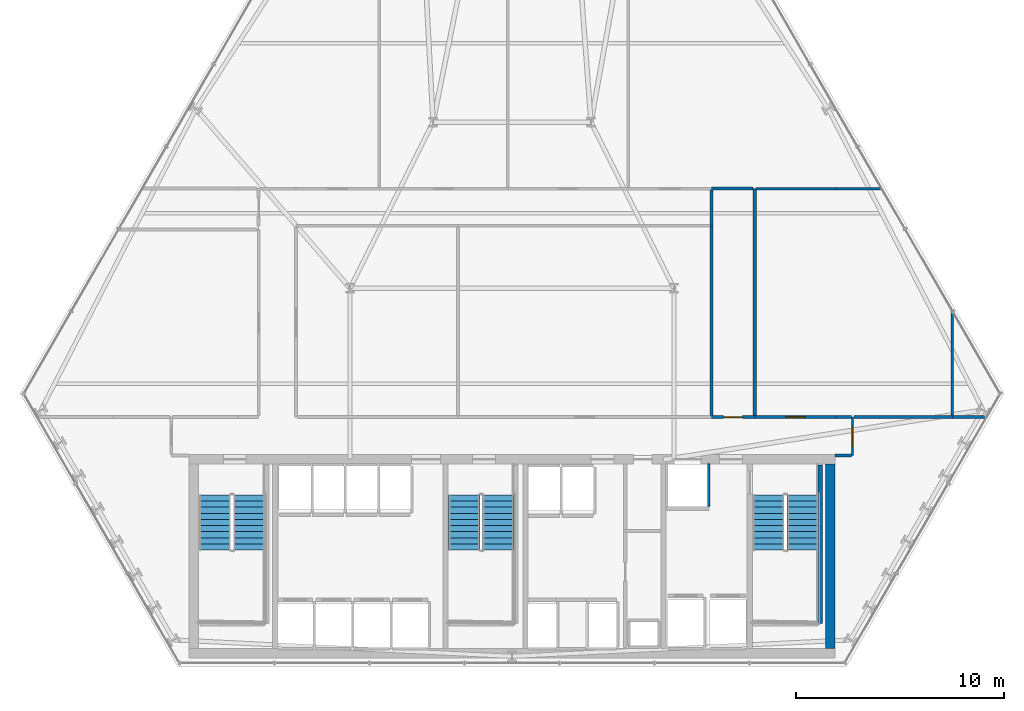
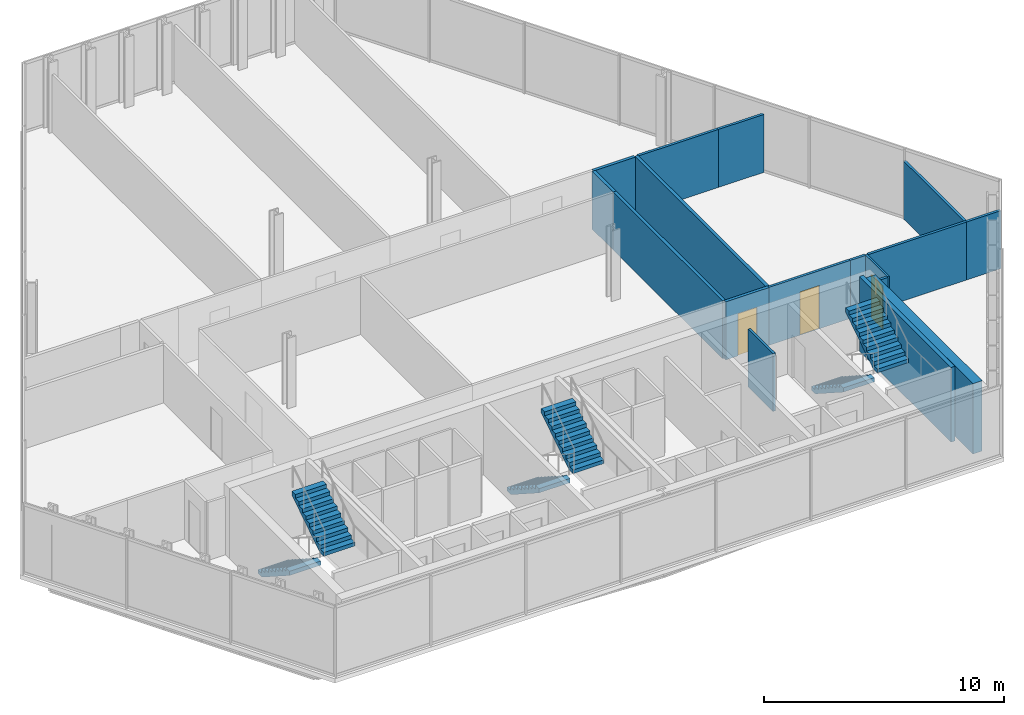
# One storey, part 29 of 32: 17 walls, 6 stair flights, 3 doors, 3 openings, 3 elements without a shape of their own.
"""IFC4 building model written with IfcOpenShell, lengths in metres."""

from ifc_helpers import new_model, si_unit, direction, frame, frame_2d, origin, place, context, subcontext, project, spatial, polyline, rectangle, outline, extrude, material, layer, layer_set, type_object, element, fill, aggregate, save


model = new_model("IFC4")

# Units and contexts
model_context = context("Model", 3, precision=1e-05, world=origin(), true_north=direction((0.0, 1.0)))
body_context = subcontext(model_context, "Body", "Model", "MODEL_VIEW")
ifc_project = project(units=[si_unit("LENGTHUNIT", "METRE"), si_unit("AREAUNIT", "SQUARE_METRE"), si_unit("VOLUMEUNIT", "CUBIC_METRE"), si_unit("PLANEANGLEUNIT", "RADIAN"), si_unit("MASSUNIT", "GRAM", prefix="KILO")], contexts=[model_context])

# Site, building, storey
site_placement = place(None, origin())
site = spatial("IfcSite", under=ifc_project, at=site_placement, CompositionType="ELEMENT")
building_placement = place(site_placement, origin())
building = spatial("IfcBuilding", under=site, at=building_placement, Name="Ndaravel Arena Tower", CompositionType="ELEMENT")
storey_placement = place(building_placement, frame((0.0, 0.0, 74.0)))
storey = spatial("IfcBuildingStorey", under=building, at=storey_placement, Name="L16", CompositionType="ELEMENT", Elevation=74.0)

# Wall
ifc_material_1 = material(Name="Concrete C60/75", Category="concrete")
ifc_layer_1 = layer(ifc_material_1, 0.449951171875)
ifc_layer_set_1 = layer_set([ifc_layer_1], Name="Concrete C60/75")
wall_type_1 = type_object("IfcWallType", Name="WALL-CORE-450", PredefinedType="SOLIDWALL", material=ifc_layer_set_1)
wall_1_placement = place(storey_placement, frame((57.324951171875, 5.85009765625, 0.0), z_axis=(0.0, 0.0, 1.0), x_axis=(0.0, 1.0, 0.0)))
element("IfcWall", 1, at=wall_1_placement, inside=storey, type_object=wall_type_1, Name="L16 Core East Shear Wall", PredefinedType="SOLIDWALL", context=body_context, shape_type="SweptSolid", body=[
    extrude(rectangle(XDim=8.89990234375, YDim=0.449951171875, at=frame_2d((4.449951171875, 0.0))), origin(), (0.0, 0.0, 1.0), 3.580078125),
])

# Wall, opening, door
ifc_material_2 = material(Name="Timber", Category="wood")
ifc_layer_2 = layer(ifc_material_2, 0.10009765625)
ifc_layer_set_2 = layer_set([ifc_layer_2], Name="Timber")
wall_type_2 = type_object("IfcWallType", Name="WALL-MOVABLE-100", PredefinedType="MOVABLE", material=ifc_layer_set_2)
wall_2_placement = place(storey_placement, frame((58.39990234375, 17.0, 0.0), z_axis=(0.0, 0.0, 1.0), x_axis=(0.0, -1.0, 0.0)))
wall_2 = element("IfcWall", 2, at=wall_2_placement, inside=storey, type_object=wall_type_2, Name="L16 Interior Partition 001", PredefinedType="MOVABLE", context=body_context, shape_type="SweptSolid", body=[
    extrude(rectangle(XDim=1.85009765625, YDim=0.10009765625, at=frame_2d((0.925048828125, 0.0))), origin(), (0.0, 0.0, 1.0), 2.949951171875),
])
opening_1_placement = place(wall_2_placement, frame((0.449951171875, 0.0, 0.0)))
opening_1 = element("IfcOpeningElement", 3, at=opening_1_placement, cuts=wall_2, Name="Opening ID-01", PredefinedType="OPENING", context=body_context, shape_type="SweptSolid", body=[
    extrude(rectangle(XDim=0.949951171875, YDim=2.199951171875, at=frame_2d((0.47509765625, 1.10009765625))), frame((0.0, 0.050048828125, 0.0), z_axis=(0.0, -1.0, 0.0), x_axis=(1.0, 0.0, 0.0)), (0.0, 0.0, 1.0), 0.10009765625),
])
ifc_material_3 = material(Name="Timber", Category="wood")
door_type_1 = type_object("IfcDoorType", Name="DT-03-OFFICE-950", OperationType="SINGLE_SWING_LEFT", PredefinedType="DOOR", material=ifc_material_3)
door_1_placement = place(opening_1_placement, origin())
door_1 = element("IfcDoor", 4, at=door_1_placement, inside=storey, type_object=door_type_1, Name="L16 Quiet Reading Library Door", OperationType="SINGLE_SWING_RIGHT", OverallHeight=2.199951171875, OverallWidth=0.949951171875, PredefinedType="DOOR", context=body_context, shape_type="SweptSolid", body=[
    extrude(rectangle(XDim=0.949951171875, YDim=2.199951171875, at=frame_2d((0.47509765625, 1.10009765625))), frame((0.0, 0.02490234375, 0.0), z_axis=(0.0, -1.0, 0.0), x_axis=(1.0, 0.0, 0.0)), (0.0, 0.0, 1.0), 0.050048828125),
])
fill(opening_1, door_1)

# Wall
ifc_material_4 = material(Name="Gypsum", Category="gypsum")
ifc_layer_3 = layer(ifc_material_4, 0.125)
ifc_layer_set_3 = layer_set([ifc_layer_3], Name="Gypsum")
wall_type_3 = type_object("IfcWallType", Name="WALL-PART-125", PredefinedType="PARTITIONING", material=ifc_layer_set_3)
wall_3_placement = place(storey_placement, frame((58.3349609375, 15.14990234375, 0.0), z_axis=(0.0, 0.0, 1.0), x_axis=(-1.0, 0.0, 0.0)))
element("IfcWall", 5, at=wall_3_placement, inside=storey, type_object=wall_type_3, Name="L16 Interior Partition 002", PredefinedType="PARTITIONING", context=body_context, shape_type="SweptSolid", body=[
    extrude(rectangle(XDim=0.784912109375, YDim=0.125, at=frame_2d((0.392578125, 0.0))), origin(), (0.0, 0.0, 1.0), 2.949951171875),
])

# Wall, opening, door
wall_4_placement = place(storey_placement, frame((53.68798828125, 17.0, 0.0), z_axis=(0.0, 0.0, 1.0), x_axis=(1.0, 0.0, 0.0)))
wall_4 = element("IfcWall", 6, at=wall_4_placement, inside=storey, type_object=wall_type_3, Name="L16 Interior Partition 021", PredefinedType="PARTITIONING", context=body_context, shape_type="SweptSolid", body=[
    extrude(rectangle(XDim=3.912109375, YDim=0.125, at=frame_2d((1.9560546875, 0.0))), origin(), (0.0, 0.0, 1.0), 2.949951171875),
])
opening_2_placement = place(wall_4_placement, frame((1.48095703125, 0.0, 0.0)))
opening_2 = element("IfcOpeningElement", 7, at=opening_2_placement, cuts=wall_4, Name="Opening ID-01", PredefinedType="OPENING", context=body_context, shape_type="SweptSolid", body=[
    extrude(rectangle(XDim=0.949951171875, YDim=2.199951171875, at=frame_2d((0.47509765625, 1.10009765625))), frame((0.0, 0.0625, 0.0), z_axis=(0.0, -1.0, 0.0), x_axis=(1.0, 0.0, 0.0)), (0.0, 0.0, 1.0), 0.125),
])
door_2_placement = place(opening_2_placement, origin())
door_2 = element("IfcDoor", 8, at=door_2_placement, inside=storey, type_object=door_type_1, Name="L16 Advisory Desk Office 3 Door", OperationType="SINGLE_SWING_RIGHT", OverallHeight=2.199951171875, OverallWidth=0.949951171875, PredefinedType="DOOR", context=body_context, shape_type="SweptSolid", body=[
    extrude(rectangle(XDim=0.949951171875, YDim=2.199951171875, at=frame_2d((0.47509765625, 1.10009765625))), frame((0.0, 0.02490234375, 0.0), z_axis=(0.0, -1.0, 0.0), x_axis=(1.0, 0.0, 0.0)), (0.0, 0.0, 1.0), 0.050048828125),
])
fill(opening_2, door_2)

# Walls
wall_5_placement = place(storey_placement, frame((57.60009765625, 17.0, 0.0), z_axis=(0.0, 0.0, 1.0), x_axis=(1.0, 0.0, 0.0)))
element("IfcWall", 9, at=wall_5_placement, inside=storey, type_object=wall_type_3, Name="L16 Interior Partition 022", PredefinedType="PARTITIONING", context=body_context, shape_type="SweptSolid", body=[
    extrude(rectangle(XDim=0.73486328125, YDim=0.125, at=frame_2d((0.367431640625, 0.0))), origin(), (0.0, 0.0, 1.0), 2.949951171875),
])
wall_6_placement = place(storey_placement, frame((58.465087890625, 17.0, 0.0), z_axis=(0.0, 0.0, 1.0), x_axis=(1.0, 0.0, 0.0)))
element("IfcWall", 10, at=wall_6_placement, inside=storey, type_object=wall_type_3, Name="L16 Interior Partition 025", PredefinedType="PARTITIONING", context=body_context, shape_type="SweptSolid", body=[
    extrude(rectangle(XDim=4.73486328125, YDim=0.125, at=frame_2d((2.367431640625, 0.0))), origin(), (0.0, 0.0, 1.0), 2.949951171875),
])
wall_7_placement = place(storey_placement, frame((63.199951171875, 17.0, 0.0), z_axis=(0.0, 0.0, 1.0), x_axis=(1.0, 0.0, 0.0)))
element("IfcWall", 11, at=wall_7_placement, inside=storey, type_object=wall_type_3, Name="L16 Interior Partition 026", PredefinedType="PARTITIONING", context=body_context, shape_type="SweptSolid", body=[
    extrude(rectangle(XDim=1.650634765625, YDim=0.125, at=frame_2d((0.8251953125, 0.0))), origin(), (0.0, 0.0, 1.0), 2.949951171875),
])
wall_8_placement = place(storey_placement, frame((57.60009765625, 28.0, 0.0), z_axis=(0.0, 0.0, 1.0), x_axis=(1.0, 0.0, 0.0)))
element("IfcWall", 12, at=wall_8_placement, inside=storey, type_object=wall_type_3, Name="L16 Interior Partition 030", PredefinedType="PARTITIONING", context=body_context, shape_type="SweptSolid", body=[
    extrude(rectangle(XDim=2.201171875, YDim=0.125, at=frame_2d((1.1005859375, 0.0))), origin(), (0.0, 0.0, 1.0), 2.949951171875),
])
wall_9_placement = place(storey_placement, frame((63.199951171875, 22.11328125, 0.0), z_axis=(0.0, 0.0, 1.0), x_axis=(0.0, -1.0, 0.0)))
element("IfcWall", 13, at=wall_9_placement, inside=storey, type_object=wall_type_3, Name="L16 Interior Partition 031", PredefinedType="PARTITIONING", context=body_context, shape_type="SweptSolid", body=[
    extrude(rectangle(XDim=5.04833984375, YDim=0.125, at=frame_2d((2.524169921875, 0.0))), origin(), (0.0, 0.0, 1.0), 2.949951171875),
])
wall_10_placement = place(storey_placement, frame((53.7529296875, 28.0, 0.0), z_axis=(0.0, 0.0, 1.0), x_axis=(1.0, 0.0, 0.0)))
element("IfcWall", 14, at=wall_10_placement, inside=storey, type_object=wall_type_3, Name="L16 Interior Partition 033", PredefinedType="PARTITIONING", context=body_context, shape_type="SweptSolid", body=[
    extrude(rectangle(XDim=3.84716796875, YDim=0.125, at=frame_2d((1.923583984375, 0.0))), origin(), (0.0, 0.0, 1.0), 2.949951171875),
])
ifc_material_5 = material(Name="Concrete C40/50", Category="concrete")
ifc_layer_4 = layer(ifc_material_5, 0.1201171875)
ifc_layer_set_4 = layer_set([ifc_layer_4], Name="Concrete C40/50")
wall_type_4 = type_object("IfcWallType", Name="WALL-SHAFT-120", PredefinedType="SOLIDWALL", material=ifc_layer_set_4)
wall_11_placement = place(storey_placement, frame((51.47998046875, 12.68994140625, 0.0), z_axis=(0.0, 0.0, 1.0), x_axis=(0.0, 1.0, 0.0)))
element("IfcWall", 15, at=wall_11_placement, inside=storey, type_object=wall_type_4, Name="L16 SVL-1 Shaft E Wall", PredefinedType="SOLIDWALL", context=body_context, shape_type="SweptSolid", body=[
    extrude(rectangle(XDim=2.070068359375, YDim=0.1201171875, at=frame_2d((1.03515625, 0.0))), origin(), (0.0, 0.0, 1.0), 2.949951171875),
])
ifc_material_6 = material(Name="Concrete C40/50", Category="concrete")
ifc_layer_5 = layer(ifc_material_6, 0.199951171875)
ifc_layer_set_5 = layer_set([ifc_layer_5], Name="Concrete C40/50")
wall_type_5 = type_object("IfcWallType", Name="WALL-SHAFT-200", PredefinedType="SOLIDWALL", material=ifc_layer_set_5)
wall_12_placement = place(storey_placement, frame((56.840087890625, 14.699951171875, 0.0), z_axis=(0.0, 0.0, 1.0), x_axis=(0.0, -1.0, 0.0)))
element("IfcWall", 16, at=wall_12_placement, inside=storey, type_object=wall_type_5, Name="L16 ST-3 Structural Shaft Wall Right", PredefinedType="SOLIDWALL", context=body_context, shape_type="SweptSolid", body=[
    extrude(rectangle(XDim=7.64990234375, YDim=0.199951171875, at=frame_2d((3.824951171875, 0.0))), origin(), (0.0, 0.0, 1.0), 3.800048828125),
])
ifc_material_7 = material(Name="Masonry", Category="masonry")
ifc_layer_6 = layer(ifc_material_7, 0.14990234375)
ifc_layer_set_6 = layer_set([ifc_layer_6], Name="Masonry")
wall_type_6 = type_object("IfcWallType", Name="WALL-WET-150", PredefinedType="PARTITIONING", material=ifc_layer_set_6)
wall_13_placement = place(storey_placement, frame((51.60009765625, 27.93505859375, 0.0), z_axis=(0.0, 0.0, 1.0), x_axis=(0.0, -1.0, 0.0)))
element("IfcWall", 17, at=wall_13_placement, inside=storey, type_object=wall_type_6, Name="L16 Interior Partition 014", PredefinedType="PARTITIONING", context=body_context, shape_type="SweptSolid", body=[
    extrude(rectangle(XDim=1.735107421875, YDim=0.14990234375, at=frame_2d((0.86767578125, 0.0))), origin(), (0.0, 0.0, 1.0), 2.949951171875),
])

# Wall, opening, door
wall_14_placement = place(storey_placement, frame((51.60009765625, 17.0, 0.0), z_axis=(0.0, 0.0, 1.0), x_axis=(1.0, 0.0, 0.0)))
wall_14 = element("IfcWall", 18, at=wall_14_placement, inside=storey, type_object=wall_type_6, Name="L16 Interior Partition 020", PredefinedType="PARTITIONING", context=body_context, shape_type="SweptSolid", body=[
    extrude(rectangle(XDim=2.087890625, YDim=0.14990234375, at=frame_2d((1.0439453125, 0.0))), origin(), (0.0, 0.0, 1.0), 2.949951171875),
])
opening_3_placement = place(wall_14_placement, frame((0.593994140625, 0.0, 0.0)))
opening_3 = element("IfcOpeningElement", 19, at=opening_3_placement, cuts=wall_14, Name="Opening WD-01", PredefinedType="OPENING", context=body_context, shape_type="SweptSolid", body=[
    extrude(rectangle(XDim=0.89990234375, YDim=2.14990234375, at=frame_2d((0.449951171875, 1.074951171875))), frame((0.0, 0.074951171875, 0.0), z_axis=(0.0, -1.0, 0.0), x_axis=(1.0, 0.0, 0.0)), (0.0, 0.0, 1.0), 0.14990234375),
])
ifc_material_8 = material(Name="Timber", Category="wood")
door_type_2 = type_object("IfcDoorType", Name="DT-05-WC-900", OperationType="SINGLE_SWING_LEFT", PredefinedType="DOOR", material=ifc_material_8)
door_3_placement = place(opening_3_placement, origin())
door_3 = element("IfcDoor", 20, at=door_3_placement, inside=storey, type_object=door_type_2, Name="L16 Male Staff & Visitor Restroom Door", OperationType="SINGLE_SWING_LEFT", OverallHeight=2.14990234375, OverallWidth=0.89990234375, PredefinedType="DOOR", context=body_context, shape_type="SweptSolid", body=[
    extrude(rectangle(XDim=0.89990234375, YDim=2.14990234375, at=frame_2d((0.449951171875, 1.074951171875))), frame((0.0, 0.02490234375, 0.0), z_axis=(0.0, -1.0, 0.0), x_axis=(1.0, 0.0, 0.0)), (0.0, 0.0, 1.0), 0.050048828125),
])
fill(opening_3, door_3)

# Walls
wall_15_placement = place(storey_placement, frame((51.60009765625, 26.199951171875, 0.0), z_axis=(0.0, 0.0, 1.0), x_axis=(0.0, -1.0, 0.0)))
element("IfcWall", 21, at=wall_15_placement, inside=storey, type_object=wall_type_6, Name="L16 Interior Partition 029", PredefinedType="PARTITIONING", context=body_context, shape_type="SweptSolid", body=[
    extrude(rectangle(XDim=9.135009765625, YDim=0.14990234375, at=frame_2d((4.5673828125, 0.0))), origin(), (0.0, 0.0, 1.0), 2.949951171875),
])
wall_16_placement = place(storey_placement, frame((53.68798828125, 17.06494140625, 0.0), z_axis=(0.0, 0.0, 1.0), x_axis=(0.0, 1.0, 0.0)))
element("IfcWall", 22, at=wall_16_placement, inside=storey, type_object=wall_type_6, Name="L16 Interior Partition 032", PredefinedType="PARTITIONING", context=body_context, shape_type="SweptSolid", body=[
    extrude(rectangle(XDim=10.93505859375, YDim=0.14990234375, at=frame_2d((5.467529296875, 0.0))), origin(), (0.0, 0.0, 1.0), 2.949951171875),
])
wall_17_placement = place(storey_placement, frame((51.60009765625, 28.0, 0.0), z_axis=(0.0, 0.0, 1.0), x_axis=(1.0, 0.0, 0.0)))
element("IfcWall", 23, at=wall_17_placement, inside=storey, type_object=wall_type_6, Name="L16 Interior Partition 034", PredefinedType="PARTITIONING", context=body_context, shape_type="SweptSolid", body=[
    extrude(rectangle(XDim=2.0, YDim=0.14990234375, at=frame_2d((1.0, 0.0))), origin(), (0.0, 0.0, 1.0), 2.949951171875),
])

# Stair, stair flights
ifc_material_9 = material(Name="Concrete C40/50", Category="concrete")
stair_type = type_object("IfcStairType", Name="STAIR-CORE-HT", PredefinedType="HALF_TURN_STAIR", material=ifc_material_9)
stair_1_placement = place(storey_placement, origin())
stair_1 = element("IfcStair", 24, at=stair_1_placement, inside=storey, type_object=stair_type, Name="L16 ST-1", PredefinedType="HALF_TURN_STAIR")
ifc_material_10 = material(Name="Concrete C40/50", Category="concrete")
stair_flight_type = type_object("IfcStairFlightType", Name="SFLIGHT-CORE-1680", PredefinedType="STRAIGHT", material=ifc_material_10)
stair_flight_1_placement = place(storey_placement, frame((27.699951171875, 13.25, 0.0), z_axis=(0.0, 0.0, 1.0), x_axis=(0.0, -1.0, 0.0)))
stair_flight_1 = element("IfcStairFlight", 25, at=stair_flight_1_placement, type_object=stair_flight_type, Name="ST-1 flight 1", NumberOfRisers=10, NumberOfTreads=9, PredefinedType="STRAIGHT", RiserHeight=0.19, TreadLength=0.295, context=body_context, shape_type="SweptSolid", body=[
    extrude(outline(polyline([(0.0, 0.0), (0.0, 0.18994140625), (0.294921875, 0.18994140625), (0.294921875, 0.3798828125), (0.590087890625, 0.3798828125), (0.590087890625, 0.570068359375), (0.885009765625, 0.570068359375), (0.885009765625, 0.760009765625), (1.179931640625, 0.760009765625), (1.179931640625, 0.949951171875), (1.47509765625, 0.949951171875), (1.47509765625, 1.139892578125), (1.77001953125, 1.139892578125), (1.77001953125, 1.330078125), (2.06494140625, 1.330078125), (2.06494140625, 1.52001953125), (2.360107421875, 1.52001953125), (2.360107421875, 1.7099609375), (2.655029296875, 1.7099609375), (2.655029296875, 1.89990234375), (2.655029296875, 1.49609375), (0.332275390625, 0.0), (0.0, 0.0)])), frame((0.0, 0.75, 0.0), z_axis=(0.0, -1.0, 0.0), x_axis=(1.0, 0.0, 0.0)), (0.0, 0.0, 1.0), 1.5),
])
stair_flight_2_placement = place(storey_placement, frame((29.340087890625, 10.594970703125, 1.89990234375), z_axis=(0.0, 0.0, 1.0), x_axis=(0.0, 1.0, 0.0)))
stair_flight_2 = element("IfcStairFlight", 26, at=stair_flight_2_placement, type_object=stair_flight_type, Name="ST-1 flight 2", NumberOfRisers=10, NumberOfTreads=9, PredefinedType="STRAIGHT", RiserHeight=0.19, TreadLength=0.295, context=body_context, shape_type="SweptSolid", body=[
    extrude(outline(polyline([(0.0, 0.0), (0.0, 0.18994140625), (0.294921875, 0.18994140625), (0.294921875, 0.3798828125), (0.590087890625, 0.3798828125), (0.590087890625, 0.570068359375), (0.885009765625, 0.570068359375), (0.885009765625, 0.760009765625), (1.179931640625, 0.760009765625), (1.179931640625, 0.949951171875), (1.47509765625, 0.949951171875), (1.47509765625, 1.139892578125), (1.77001953125, 1.139892578125), (1.77001953125, 1.330078125), (2.06494140625, 1.330078125), (2.06494140625, 1.52001953125), (2.360107421875, 1.52001953125), (2.360107421875, 1.7099609375), (2.655029296875, 1.7099609375), (2.655029296875, 1.89990234375), (2.655029296875, 1.49609375), (0.332275390625, 0.0), (0.0, 0.0)])), frame((0.0, 0.75, 0.0), z_axis=(0.0, -1.0, 0.0), x_axis=(1.0, 0.0, 0.0)), (0.0, 0.0, 1.0), 1.5),
])
aggregate(stair_1, [stair_flight_1, stair_flight_2])

stair_2_placement = place(storey_placement, origin())
stair_2 = element("IfcStair", 27, at=stair_2_placement, inside=storey, type_object=stair_type, Name="L16 ST-2", PredefinedType="HALF_TURN_STAIR")
stair_flight_3_placement = place(storey_placement, frame((39.699951171875, 13.25, 0.0), z_axis=(0.0, 0.0, 1.0), x_axis=(0.0, -1.0, 0.0)))
stair_flight_3 = element("IfcStairFlight", 28, at=stair_flight_3_placement, type_object=stair_flight_type, Name="ST-2 flight 1", NumberOfRisers=10, NumberOfTreads=9, PredefinedType="STRAIGHT", RiserHeight=0.19, TreadLength=0.295, context=body_context, shape_type="SweptSolid", body=[
    extrude(outline(polyline([(0.0, 0.0), (0.0, 0.18994140625), (0.294921875, 0.18994140625), (0.294921875, 0.3798828125), (0.590087890625, 0.3798828125), (0.590087890625, 0.570068359375), (0.885009765625, 0.570068359375), (0.885009765625, 0.760009765625), (1.179931640625, 0.760009765625), (1.179931640625, 0.949951171875), (1.47509765625, 0.949951171875), (1.47509765625, 1.139892578125), (1.77001953125, 1.139892578125), (1.77001953125, 1.330078125), (2.06494140625, 1.330078125), (2.06494140625, 1.52001953125), (2.360107421875, 1.52001953125), (2.360107421875, 1.7099609375), (2.655029296875, 1.7099609375), (2.655029296875, 1.89990234375), (2.655029296875, 1.49609375), (0.332275390625, 0.0), (0.0, 0.0)])), frame((0.0, 0.75, 0.0), z_axis=(0.0, -1.0, 0.0), x_axis=(1.0, 0.0, 0.0)), (0.0, 0.0, 1.0), 1.5),
])
stair_flight_4_placement = place(storey_placement, frame((41.340087890625, 10.594970703125, 1.89990234375), z_axis=(0.0, 0.0, 1.0), x_axis=(0.0, 1.0, 0.0)))
stair_flight_4 = element("IfcStairFlight", 29, at=stair_flight_4_placement, type_object=stair_flight_type, Name="ST-2 flight 2", NumberOfRisers=10, NumberOfTreads=9, PredefinedType="STRAIGHT", RiserHeight=0.19, TreadLength=0.295, context=body_context, shape_type="SweptSolid", body=[
    extrude(outline(polyline([(0.0, 0.0), (0.0, 0.18994140625), (0.294921875, 0.18994140625), (0.294921875, 0.3798828125), (0.590087890625, 0.3798828125), (0.590087890625, 0.570068359375), (0.885009765625, 0.570068359375), (0.885009765625, 0.760009765625), (1.179931640625, 0.760009765625), (1.179931640625, 0.949951171875), (1.47509765625, 0.949951171875), (1.47509765625, 1.139892578125), (1.77001953125, 1.139892578125), (1.77001953125, 1.330078125), (2.06494140625, 1.330078125), (2.06494140625, 1.52001953125), (2.360107421875, 1.52001953125), (2.360107421875, 1.7099609375), (2.655029296875, 1.7099609375), (2.655029296875, 1.89990234375), (2.655029296875, 1.49609375), (0.332275390625, 0.0), (0.0, 0.0)])), frame((0.0, 0.75, 0.0), z_axis=(0.0, -1.0, 0.0), x_axis=(1.0, 0.0, 0.0)), (0.0, 0.0, 1.0), 1.5),
])
aggregate(stair_2, [stair_flight_3, stair_flight_4])

stair_3_placement = place(storey_placement, origin())
stair_3 = element("IfcStair", 30, at=stair_3_placement, inside=storey, type_object=stair_type, Name="L16 ST-3", PredefinedType="HALF_TURN_STAIR")
stair_flight_5_placement = place(storey_placement, frame((54.35009765625, 13.25, 0.0), z_axis=(0.0, 0.0, 1.0), x_axis=(0.0, -1.0, 0.0)))
stair_flight_5 = element("IfcStairFlight", 31, at=stair_flight_5_placement, type_object=stair_flight_type, Name="ST-3 flight 1", NumberOfRisers=10, NumberOfTreads=9, PredefinedType="STRAIGHT", RiserHeight=0.19, TreadLength=0.295, context=body_context, shape_type="SweptSolid", body=[
    extrude(outline(polyline([(0.0, 0.0), (0.0, 0.18994140625), (0.294921875, 0.18994140625), (0.294921875, 0.3798828125), (0.590087890625, 0.3798828125), (0.590087890625, 0.570068359375), (0.885009765625, 0.570068359375), (0.885009765625, 0.760009765625), (1.179931640625, 0.760009765625), (1.179931640625, 0.949951171875), (1.47509765625, 0.949951171875), (1.47509765625, 1.139892578125), (1.77001953125, 1.139892578125), (1.77001953125, 1.330078125), (2.06494140625, 1.330078125), (2.06494140625, 1.52001953125), (2.360107421875, 1.52001953125), (2.360107421875, 1.7099609375), (2.655029296875, 1.7099609375), (2.655029296875, 1.89990234375), (2.655029296875, 1.49609375), (0.332275390625, 0.0), (0.0, 0.0)])), frame((0.0, 0.75, 0.0), z_axis=(0.0, -1.0, 0.0), x_axis=(1.0, 0.0, 0.0)), (0.0, 0.0, 1.0), 1.5),
])
stair_flight_6_placement = place(storey_placement, frame((55.989990234375, 10.594970703125, 1.89990234375), z_axis=(0.0, 0.0, 1.0), x_axis=(0.0, 1.0, 0.0)))
stair_flight_6 = element("IfcStairFlight", 32, at=stair_flight_6_placement, type_object=stair_flight_type, Name="ST-3 flight 2", NumberOfRisers=10, NumberOfTreads=9, PredefinedType="STRAIGHT", RiserHeight=0.19, TreadLength=0.295, context=body_context, shape_type="SweptSolid", body=[
    extrude(outline(polyline([(0.0, 0.0), (0.0, 0.18994140625), (0.294921875, 0.18994140625), (0.294921875, 0.3798828125), (0.590087890625, 0.3798828125), (0.590087890625, 0.570068359375), (0.885009765625, 0.570068359375), (0.885009765625, 0.760009765625), (1.179931640625, 0.760009765625), (1.179931640625, 0.949951171875), (1.47509765625, 0.949951171875), (1.47509765625, 1.139892578125), (1.77001953125, 1.139892578125), (1.77001953125, 1.330078125), (2.06494140625, 1.330078125), (2.06494140625, 1.52001953125), (2.360107421875, 1.52001953125), (2.360107421875, 1.7099609375), (2.655029296875, 1.7099609375), (2.655029296875, 1.89990234375), (2.655029296875, 1.49609375), (0.332275390625, 0.0), (0.0, 0.0)])), frame((0.0, 0.75, 0.0), z_axis=(0.0, -1.0, 0.0), x_axis=(1.0, 0.0, 0.0)), (0.0, 0.0, 1.0), 1.5),
])
aggregate(stair_3, [stair_flight_5, stair_flight_6])

save(model, "model.ifc")
